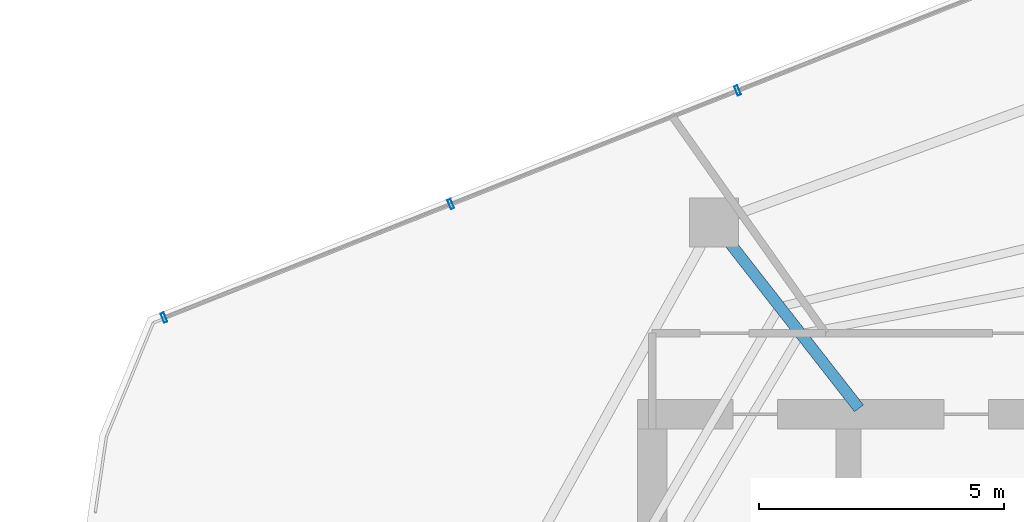
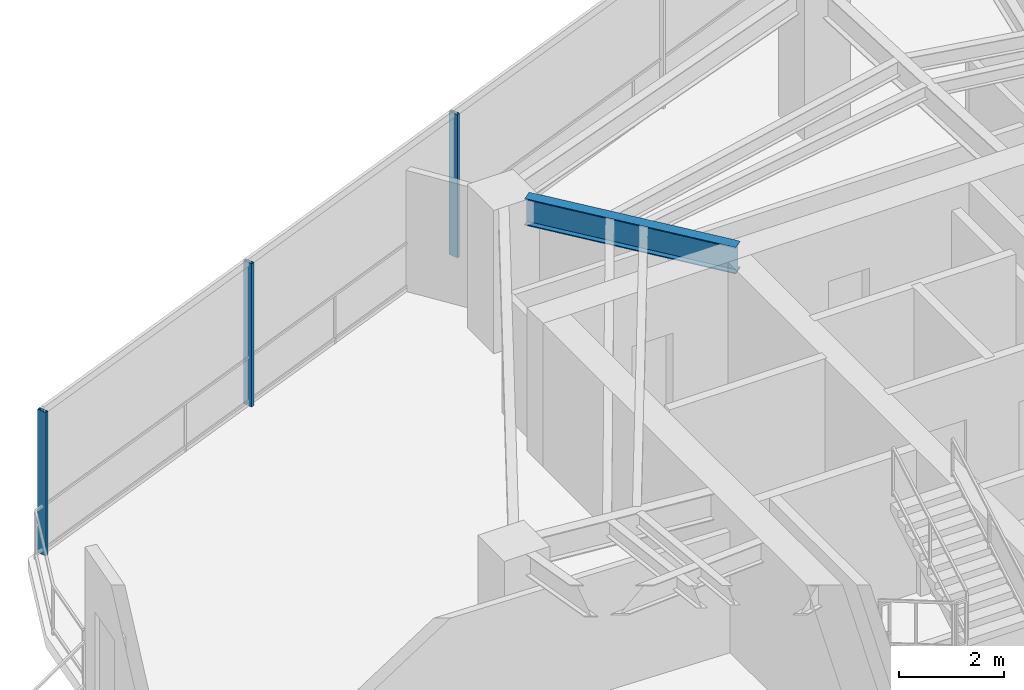
# One storey, part 11 of 20: 3 members, 1 beam, 1 element without a shape of its own.
"""IFC4 building model written with IfcOpenShell, lengths in metres."""

from ifc_helpers import new_model, si_unit, direction, frame, origin, origin_2d, place, context, subcontext, project, spatial, hollow_rectangle, i_section, extrude, material, layer, layer_set, material_profile, profile_set, type_object, element, aggregate, save


model = new_model("IFC4")

# Units and contexts
model_context = context("Model", 3, precision=1e-05, world=origin(), true_north=direction((0.0, 1.0)))
body_context = subcontext(model_context, "Body", "Model", "MODEL_VIEW")
ifc_project = project(units=[si_unit("LENGTHUNIT", "METRE"), si_unit("AREAUNIT", "SQUARE_METRE"), si_unit("VOLUMEUNIT", "CUBIC_METRE"), si_unit("PLANEANGLEUNIT", "RADIAN"), si_unit("MASSUNIT", "GRAM", prefix="KILO")], contexts=[model_context])

# Site, building, storey
site_placement = place(None, origin())
site = spatial("IfcSite", under=ifc_project, at=site_placement, CompositionType="ELEMENT")
building_placement = place(site_placement, origin())
building = spatial("IfcBuilding", under=site, at=building_placement, Name="Qarnah Convention Tower", CompositionType="ELEMENT")
storey_placement = place(building_placement, frame((0.0, 0.0, 147.300048828125)))
storey = spatial("IfcBuildingStorey", under=building, at=storey_placement, Name="L39", CompositionType="ELEMENT", Elevation=147.300048828125)

# Beam
ifc_material_1 = material(Name="Structural steel S355JR", Category="steel")
ifc_material_profile_1 = material_profile(ifc_material_1, i_section(OverallWidth=0.22998046875, OverallDepth=0.617919921875, WebThickness=0.012939453125, FlangeThickness=0.02197265625, at=origin_2d()), Name="W610X140")
ifc_profile_set_1 = profile_set([ifc_material_profile_1], Name="Structural steel S355JR")
beam_type = type_object("IfcBeamType", Name="BM-RAD-W610A", PredefinedType="BEAM", material=ifc_profile_set_1)
beam_placement = place(storey_placement, frame((31.013916015625, 34.318115234375, 3.010986328125), z_axis=(-0.615636368947, 0.788030368215, 0.0), x_axis=(-0.788030368215, -0.615636368947, 0.0)))
element("IfcBeam", 1, at=beam_placement, inside=storey, type_object=beam_type, Name="L39 beam BM-L39-RAD-04", PredefinedType="BEAM", context=body_context, shape_type="SweptSolid", body=[
    extrude(i_section(OverallWidth=0.22998046875, OverallDepth=0.617919921875, WebThickness=0.012939453125, FlangeThickness=0.02197265625, at=origin_2d()), origin(), (0.0, 0.0, 1.0), 4.322265625),
])

# Curtain wall, members
ifc_material_2 = material(Name="Tempered Low-E dark glass", Category="glass")
ifc_layer = layer(ifc_material_2, 0.172119140625)
ifc_layer_set = layer_set([ifc_layer], Name="Tempered Low-E dark glass")
curtain_wall_type = type_object("IfcCurtainWallType", Name="CWS-03", PredefinedType="NOTDEFINED", material=ifc_layer_set)
curtain_wall_placement = place(storey_placement, origin())
curtain_wall = element("IfcCurtainWall", 2, at=curtain_wall_placement, inside=storey, type_object=curtain_wall_type, Name="L39 unitised curtain wall CW-L39-F3", PredefinedType="NOTDEFINED")
ifc_material_3 = material(Name="Black anodised aluminium", Category="aluminium")
ifc_material_profile_2 = material_profile(ifc_material_3, hollow_rectangle(XDim=0.070068359375, YDim=0.199951171875, WallThickness=0.0048828125, at=origin_2d()), Name="MUL-70X200")
ifc_profile_set_2 = profile_set([ifc_material_profile_2], Name="Black anodised aluminium")
member_type = type_object("IfcMemberType", Name="MUL-T3", PredefinedType="MULLION", material=ifc_profile_set_2)
member_1_placement = place(storey_placement, frame((16.85302734375, 36.166015625, 0.0), z_axis=(0.0, 0.0, 1.0), x_axis=(0.929776665788, 0.36812409831, 0.0)))
member_1 = element("IfcMember", 3, at=member_1_placement, type_object=member_type, Name="CW-L39-F3 mullion 1", PredefinedType="MULLION", context=body_context, shape_type="SweptSolid", body=[
    extrude(hollow_rectangle(XDim=0.070068359375, YDim=0.199951171875, WallThickness=0.0048828125, at=origin_2d()), origin(), (0.0, 0.0, 1.0), 3.320068359375),
])
member_2_placement = place(storey_placement, frame((22.697021484375, 38.479736328125, 0.0), z_axis=(0.0, 0.0, 1.0), x_axis=(0.929776665788, 0.36812409831, 0.0)))
member_2 = element("IfcMember", 4, at=member_2_placement, type_object=member_type, Name="CW-L39-F3 mullion 2", PredefinedType="MULLION", context=body_context, shape_type="SweptSolid", body=[
    extrude(hollow_rectangle(XDim=0.070068359375, YDim=0.199951171875, WallThickness=0.0048828125, at=origin_2d()), origin(), (0.0, 0.0, 1.0), 3.320068359375),
])
member_3_placement = place(storey_placement, frame((28.541015625, 40.793701171875, 0.0), z_axis=(0.0, 0.0, 1.0), x_axis=(0.929776665788, 0.36812409831, 0.0)))
member_3 = element("IfcMember", 5, at=member_3_placement, type_object=member_type, Name="CW-L39-F3 mullion 3", PredefinedType="MULLION", context=body_context, shape_type="SweptSolid", body=[
    extrude(hollow_rectangle(XDim=0.070068359375, YDim=0.199951171875, WallThickness=0.0048828125, at=origin_2d()), origin(), (0.0, 0.0, 1.0), 3.320068359375),
])
aggregate(curtain_wall, [member_1, member_2, member_3])

save(model, "model.ifc")
